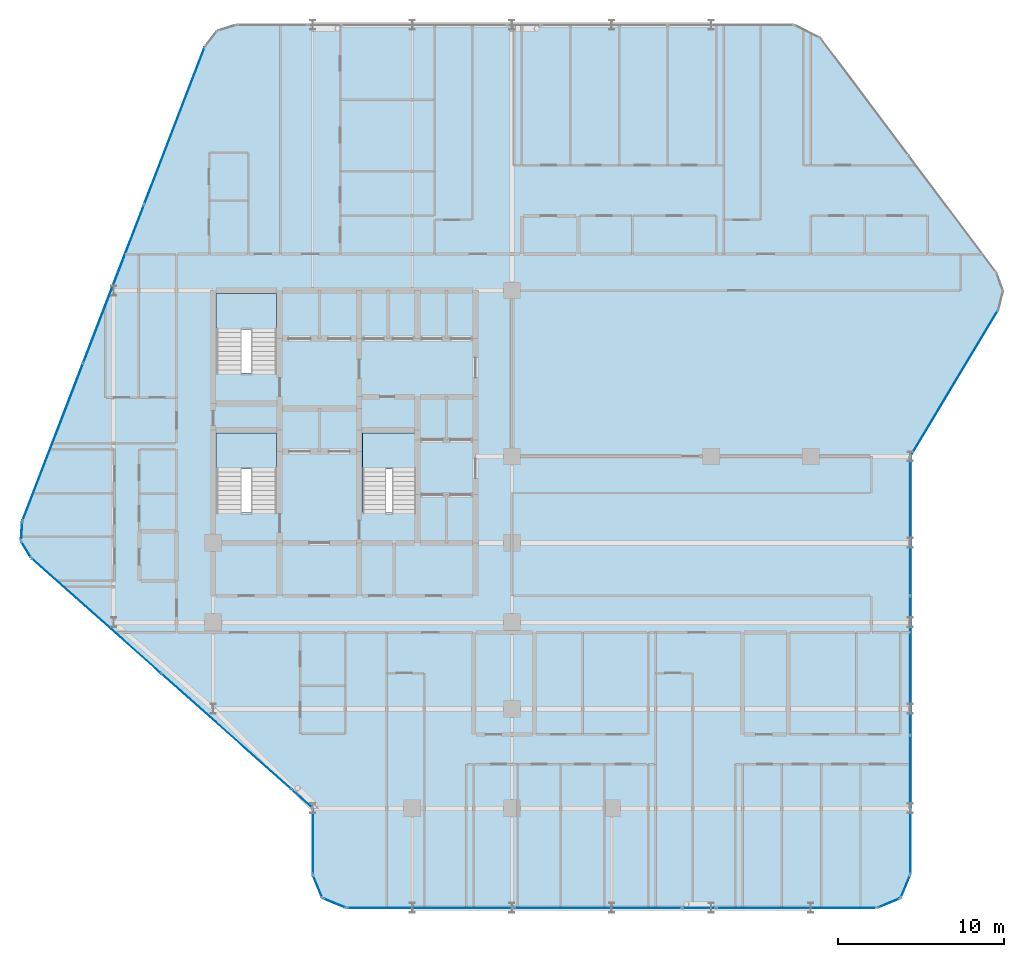
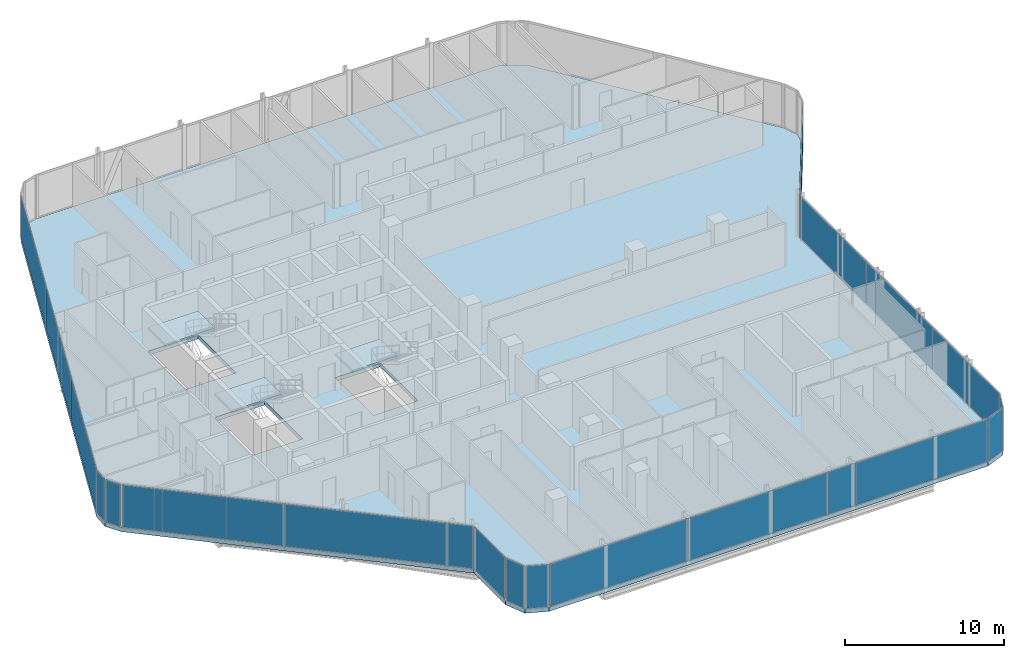
# One storey, part 21 of 30: 21 plates, 4 slabs, 18 elements without a shape of their own.
"""IFC4 building model written with IfcOpenShell, lengths in metres."""

from ifc_helpers import new_model, si_unit, direction, frame, origin, origin_2d, place, context, subcontext, project, spatial, polyline, rectangle, outline, extrude, material, layer, layer_set, type_object, element, aggregate, save


model = new_model("IFC4")

# Units and contexts
model_context = context("Model", 3, precision=1e-05, world=origin(), true_north=direction((0.0, 1.0)))
body_context = subcontext(model_context, "Body", "Model", "MODEL_VIEW")
ifc_project = project(units=[si_unit("LENGTHUNIT", "METRE"), si_unit("AREAUNIT", "SQUARE_METRE"), si_unit("VOLUMEUNIT", "CUBIC_METRE"), si_unit("PLANEANGLEUNIT", "RADIAN"), si_unit("MASSUNIT", "GRAM", prefix="KILO")], contexts=[model_context])

# Site, building, storey
site_placement = place(None, origin())
site = spatial("IfcSite", under=ifc_project, at=site_placement, CompositionType="ELEMENT")
building_placement = place(site_placement, origin())
building = spatial("IfcBuilding", under=site, at=building_placement, Name="Keshet Zoharim Tower", CompositionType="ELEMENT")
storey_placement = place(building_placement, frame((0.0, 0.0, 90.89990234375)))
storey = spatial("IfcBuildingStorey", under=building, at=storey_placement, Name="L21", CompositionType="ELEMENT", Elevation=90.89990234375)

# Curtain wall, plate
ifc_material_1 = material(Name="Aluminium 6063-T6", Category="aluminium")
ifc_layer_1 = layer(ifc_material_1, 0.159912109375)
ifc_layer_set_1 = layer_set([ifc_layer_1], Name="Aluminium 6063-T6")
curtain_wall_type = type_object("IfcCurtainWallType", Name="CW-SYS-03", PredefinedType="NOTDEFINED", material=ifc_layer_set_1)
curtain_wall_1_placement = place(storey_placement, origin())
curtain_wall_1 = element("IfcCurtainWall", 1, at=curtain_wall_1_placement, inside=storey, type_object=curtain_wall_type, Name="L21 Unitised Curtain Wall 01", PredefinedType="NOTDEFINED")
ifc_material_2 = material(Name="Insulated Low-E Clear Glass", Category="glass")
ifc_layer_2 = layer(ifc_material_2, 0.035888671875)
ifc_layer_set_2 = layer_set([ifc_layer_2], Name="Insulated Low-E Clear Glass")
plate_type_1 = type_object("IfcPlateType", Name="CWP-01", PredefinedType="CURTAIN_PANEL", material=ifc_layer_set_2)
plate_1_placement = place(storey_placement, frame((56.70703125, 1.992919921875, 0.070068359375), z_axis=(0.0, 0.0, 1.0), x_axis=(-0.382851849847, -0.92380975372, 0.0)))
plate_1 = element("IfcPlate", 2, at=plate_1_placement, type_object=plate_type_1, Name="CW-03 panel 1.1", PredefinedType="CURTAIN_PANEL", context=body_context, shape_type="SweptSolid", body=[
    extrude(rectangle(XDim=1.390625, YDim=0.035888671875, at=origin_2d()), origin(), (0.0, 0.0, 1.0), 3.2451171875),
])
aggregate(curtain_wall_1, [plate_1])

curtain_wall_2_placement = place(storey_placement, origin())
curtain_wall_2 = element("IfcCurtainWall", 3, at=curtain_wall_2_placement, inside=storey, type_object=curtain_wall_type, Name="L21 Unitised Curtain Wall 02", PredefinedType="NOTDEFINED")
plate_2_placement = place(storey_placement, frame((55.70703125, 0.992919921875, 0.070068359375), z_axis=(0.0, 0.0, 1.0), x_axis=(-0.92380975372, -0.382851849847, 0.0)))
plate_2 = element("IfcPlate", 4, at=plate_2_placement, type_object=plate_type_1, Name="CW-03 panel 1.1", PredefinedType="CURTAIN_PANEL", context=body_context, shape_type="SweptSolid", body=[
    extrude(rectangle(XDim=1.390625, YDim=0.035888671875, at=origin_2d()), origin(), (0.0, 0.0, 1.0), 3.2451171875),
])
aggregate(curtain_wall_2, [plate_2])

curtain_wall_3_placement = place(storey_placement, origin())
curtain_wall_3 = element("IfcCurtainWall", 5, at=curtain_wall_3_placement, inside=storey, type_object=curtain_wall_type, Name="L21 Unitised Curtain Wall 03", PredefinedType="NOTDEFINED")
plate_3_placement = place(storey_placement, frame((50.13134765625, 0.699951171875, 0.070068359375), z_axis=(0.0, 0.0, 1.0), x_axis=(-1.0, 0.0, 0.0)))
plate_3 = element("IfcPlate", 6, at=plate_3_placement, type_object=plate_type_1, Name="CW-03 panel 1.1", PredefinedType="CURTAIN_PANEL", context=body_context, shape_type="SweptSolid", body=[
    extrude(rectangle(XDim=9.597412109375, YDim=0.035888671875, at=origin_2d()), origin(), (0.0, 0.0, 1.0), 3.2451171875),
])
aggregate(curtain_wall_3, [plate_3])

# Curtain wall, plates
curtain_wall_4_placement = place(storey_placement, origin())
curtain_wall_4 = element("IfcCurtainWall", 7, at=curtain_wall_4_placement, inside=storey, type_object=curtain_wall_type, Name="L21 Unitised Curtain Wall 03 Part 3", PredefinedType="NOTDEFINED")
plate_4_placement = place(storey_placement, frame((38.195556640625, 0.699951171875, 0.070068359375), z_axis=(0.0, 0.0, 1.0), x_axis=(-1.0, 0.0, 0.0)))
plate_4 = element("IfcPlate", 8, at=plate_4_placement, type_object=plate_type_1, Name="CW-03 panel 1.1", PredefinedType="CURTAIN_PANEL", context=body_context, shape_type="SweptSolid", body=[
    extrude(rectangle(XDim=10.083740234375, YDim=0.035888671875, at=origin_2d()), origin(), (0.0, 0.0, 1.0), 3.2451171875),
])
plate_5_placement = place(storey_placement, frame((28.076904296875, 0.699951171875, 0.070068359375), z_axis=(0.0, 0.0, 1.0), x_axis=(-1.0, 0.0, 0.0)))
plate_5 = element("IfcPlate", 9, at=plate_5_placement, type_object=plate_type_1, Name="CW-03 panel 2.1", PredefinedType="CURTAIN_PANEL", context=body_context, shape_type="SweptSolid", body=[
    extrude(rectangle(XDim=10.013671875, YDim=0.035888671875, at=origin_2d()), origin(), (0.0, 0.0, 1.0), 3.2451171875),
])
aggregate(curtain_wall_4, [plate_4, plate_5])

# Curtain wall, plate
curtain_wall_5_placement = place(storey_placement, origin())
curtain_wall_5 = element("IfcCurtainWall", 10, at=curtain_wall_5_placement, inside=storey, type_object=curtain_wall_type, Name="L21 Unitised Curtain Wall 04", PredefinedType="NOTDEFINED")
plate_6_placement = place(storey_placement, frame((22.29296875, 0.992919921875, 0.070068359375), z_axis=(0.0, 0.0, 1.0), x_axis=(-0.92380975372, 0.382851849847, 0.0)))
plate_6 = element("IfcPlate", 11, at=plate_6_placement, type_object=plate_type_1, Name="CW-03 panel 1.1", PredefinedType="CURTAIN_PANEL", context=body_context, shape_type="SweptSolid", body=[
    extrude(rectangle(XDim=1.390625, YDim=0.035888671875, at=origin_2d()), origin(), (0.0, 0.0, 1.0), 3.2451171875),
])
aggregate(curtain_wall_5, [plate_6])

curtain_wall_6_placement = place(storey_placement, origin())
curtain_wall_6 = element("IfcCurtainWall", 12, at=curtain_wall_6_placement, inside=storey, type_object=curtain_wall_type, Name="L21 Unitised Curtain Wall 05", PredefinedType="NOTDEFINED")
plate_7_placement = place(storey_placement, frame((21.29296875, 1.992919921875, 0.070068359375), z_axis=(0.0, 0.0, 1.0), x_axis=(-0.382851849847, 0.92380975372, 0.0)))
plate_7 = element("IfcPlate", 13, at=plate_7_placement, type_object=plate_type_1, Name="CW-03 panel 1.1", PredefinedType="CURTAIN_PANEL", context=body_context, shape_type="SweptSolid", body=[
    extrude(rectangle(XDim=1.390625, YDim=0.035888671875, at=origin_2d()), origin(), (0.0, 0.0, 1.0), 3.2451171875),
])
aggregate(curtain_wall_6, [plate_7])

curtain_wall_7_placement = place(storey_placement, origin())
curtain_wall_7 = element("IfcCurtainWall", 14, at=curtain_wall_7_placement, inside=storey, type_object=curtain_wall_type, Name="L21 Unitised Curtain Wall 06", PredefinedType="NOTDEFINED")
plate_8_placement = place(storey_placement, frame((21.0, 4.699951171875, 0.070068359375), z_axis=(0.0, 0.0, 1.0), x_axis=(0.0, 1.0, 0.0)))
plate_8 = element("IfcPlate", 15, at=plate_8_placement, type_object=plate_type_1, Name="CW-03 panel 1.1", PredefinedType="CURTAIN_PANEL", context=body_context, shape_type="SweptSolid", body=[
    extrude(rectangle(XDim=3.860107421875, YDim=0.035888671875, at=origin_2d()), origin(), (0.0, 0.0, 1.0), 3.2451171875),
])
aggregate(curtain_wall_7, [plate_8])

# Curtain wall, plates
curtain_wall_8_placement = place(storey_placement, origin())
curtain_wall_8 = element("IfcCurtainWall", 16, at=curtain_wall_8_placement, inside=storey, type_object=curtain_wall_type, Name="L21 Unitised Curtain Wall 07 Part 2", PredefinedType="NOTDEFINED")
plate_9_placement = place(storey_placement, frame((15.78515625, 11.33544921875, 0.070068359375), z_axis=(0.0, 0.0, 1.0), x_axis=(-0.747409055186, 0.664364135264, 0.0)))
plate_9 = element("IfcPlate", 17, at=plate_9_placement, type_object=plate_type_1, Name="CW-03 panel 1.1", PredefinedType="CURTAIN_PANEL", context=body_context, shape_type="SweptSolid", body=[
    extrude(rectangle(XDim=10.43408203125, YDim=0.035888671875, at=origin_2d()), origin(), (0.0, 0.0, 1.0), 3.2451171875),
])
plate_10_placement = place(storey_placement, frame((7.96044921875, 18.290771484375, 0.070068359375), z_axis=(0.0, 0.0, 1.0), x_axis=(-0.747409055186, 0.664364135264, 0.0)))
plate_10 = element("IfcPlate", 18, at=plate_10_placement, type_object=plate_type_1, Name="CW-03 panel 2.1", PredefinedType="CURTAIN_PANEL", context=body_context, shape_type="SweptSolid", body=[
    extrude(rectangle(XDim=10.364013671875, YDim=0.035888671875, at=origin_2d()), origin(), (0.0, 0.0, 1.0), 3.2451171875),
])
aggregate(curtain_wall_8, [plate_9, plate_10])

# Curtain wall, plate
curtain_wall_9_placement = place(storey_placement, origin())
curtain_wall_9 = element("IfcCurtainWall", 19, at=curtain_wall_9_placement, inside=storey, type_object=curtain_wall_type, Name="L21 Unitised Curtain Wall 08", PredefinedType="NOTDEFINED")
plate_11_placement = place(storey_placement, frame((3.7275390625, 22.291015625, 0.070068359375), z_axis=(0.0, 0.0, 1.0), x_axis=(-0.515604947933, 0.856826433805, 0.0)))
plate_11 = element("IfcPlate", 20, at=plate_11_placement, type_object=plate_type_1, Name="CW-03 panel 1.1", PredefinedType="CURTAIN_PANEL", context=body_context, shape_type="SweptSolid", body=[
    extrude(rectangle(XDim=1.052734375, YDim=0.035888671875, at=origin_2d()), origin(), (0.0, 0.0, 1.0), 3.2451171875),
])
aggregate(curtain_wall_9, [plate_11])

curtain_wall_10_placement = place(storey_placement, origin())
curtain_wall_10 = element("IfcCurtainWall", 21, at=curtain_wall_10_placement, inside=storey, type_object=curtain_wall_type, Name="L21 Unitised Curtain Wall 09", PredefinedType="NOTDEFINED")
plate_12_placement = place(storey_placement, frame((3.45849609375, 23.3974609375, 0.070068359375), z_axis=(0.0, 0.0, 1.0), x_axis=(0.064516859374, 0.997916617186, 0.0)))
plate_12 = element("IfcPlate", 22, at=plate_12_placement, type_object=plate_type_1, Name="CW-03 panel 1.1", PredefinedType="CURTAIN_PANEL", context=body_context, shape_type="SweptSolid", body=[
    extrude(rectangle(XDim=1.053466796875, YDim=0.035888671875, at=origin_2d()), origin(), (0.0, 0.0, 1.0), 3.2451171875),
])
aggregate(curtain_wall_10, [plate_12])

# Curtain wall, plates
curtain_wall_11_placement = place(storey_placement, origin())
curtain_wall_11 = element("IfcCurtainWall", 23, at=curtain_wall_11_placement, inside=storey, type_object=curtain_wall_type, Name="L21 Unitised Curtain Wall 10", PredefinedType="NOTDEFINED")
plate_13_placement = place(storey_placement, frame((5.33837890625, 28.7802734375, 0.070068359375), z_axis=(0.0, 0.0, 1.0), x_axis=(0.358990003907, 0.933341404361, 0.0)))
plate_13 = element("IfcPlate", 24, at=plate_13_placement, type_object=plate_type_1, Name="CW-03 panel 1.1", PredefinedType="CURTAIN_PANEL", context=body_context, shape_type="SweptSolid", body=[
    extrude(rectangle(XDim=10.1181640625, YDim=0.035888671875, at=origin_2d()), origin(), (0.0, 0.0, 1.0), 3.2451171875),
])
plate_14_placement = place(storey_placement, frame((9.001953125, 38.305419921875, 0.070068359375), z_axis=(0.0, 0.0, 1.0), x_axis=(0.358990003907, 0.933341404361, 0.0)))
plate_14 = element("IfcPlate", 25, at=plate_14_placement, type_object=plate_type_1, Name="CW-03 panel 2.1", PredefinedType="CURTAIN_PANEL", context=body_context, shape_type="SweptSolid", body=[
    extrude(rectangle(XDim=10.153076171875, YDim=0.035888671875, at=origin_2d()), origin(), (0.0, 0.0, 1.0), 3.2451171875),
])
plate_15_placement = place(storey_placement, frame((12.665771484375, 47.830810546875, 0.070068359375), z_axis=(0.0, 0.0, 1.0), x_axis=(0.358990003907, 0.933341404361, 0.0)))
plate_15 = element("IfcPlate", 26, at=plate_15_placement, type_object=plate_type_1, Name="CW-03 panel 3.1", PredefinedType="CURTAIN_PANEL", context=body_context, shape_type="SweptSolid", body=[
    extrude(rectangle(XDim=10.1181640625, YDim=0.035888671875, at=origin_2d()), origin(), (0.0, 0.0, 1.0), 3.2451171875),
])
aggregate(curtain_wall_11, [plate_13, plate_14, plate_15])

# Curtain wall, plate
curtain_wall_12_placement = place(storey_placement, origin())
curtain_wall_12 = element("IfcCurtainWall", 27, at=curtain_wall_12_placement, inside=storey, type_object=curtain_wall_type, Name="L21 Unitised Curtain Wall 18", PredefinedType="NOTDEFINED")
plate_16_placement = place(storey_placement, frame((59.654052734375, 32.323486328125, 0.070068359375), z_axis=(0.0, 0.0, 1.0), x_axis=(-0.514481501576, -0.857501477862, 0.0)))
plate_16 = element("IfcPlate", 28, at=plate_16_placement, type_object=plate_type_1, Name="CW-03 panel 1.1", PredefinedType="CURTAIN_PANEL", context=body_context, shape_type="SweptSolid", body=[
    extrude(rectangle(XDim=10.17724609375, YDim=0.035888671875, at=origin_2d()), origin(), (0.0, 0.0, 1.0), 3.2451171875),
])
aggregate(curtain_wall_12, [plate_16])

# Curtain wall, plates
curtain_wall_13_placement = place(storey_placement, origin())
curtain_wall_13 = element("IfcCurtainWall", 29, at=curtain_wall_13_placement, inside=storey, type_object=curtain_wall_type, Name="L21 Unitised Curtain Wall 19", PredefinedType="NOTDEFINED")
ifc_layer_3 = layer(ifc_material_2, 0.031982421875)
ifc_layer_set_3 = layer_set([ifc_layer_3], Name="Insulated Low-E Clear Glass")
plate_type_2 = type_object("IfcPlateType", Name="CWP-02", PredefinedType="CURTAIN_PANEL", material=ifc_layer_set_3)
plate_17_placement = place(storey_placement, frame((57.0, 23.6826171875, 0.070068359375), z_axis=(0.0, 0.0, 1.0), x_axis=(0.0, -1.0, 0.0)))
plate_17 = element("IfcPlate", 30, at=plate_17_placement, type_object=plate_type_2, Name="CW-03 panel 1.1", PredefinedType="CURTAIN_PANEL", context=body_context, shape_type="SweptSolid", body=[
    extrude(rectangle(XDim=8.294921875, YDim=0.031982421875, at=origin_2d()), origin(), (0.0, 0.0, 1.0), 3.2451171875),
])
plate_18_placement = place(storey_placement, frame((57.0, 15.300048828125, 0.070068359375), z_axis=(0.0, 0.0, 1.0), x_axis=(0.0, -1.0, 0.0)))
plate_18 = element("IfcPlate", 31, at=plate_18_placement, type_object=plate_type_2, Name="CW-03 panel 2.1", PredefinedType="CURTAIN_PANEL", context=body_context, shape_type="SweptSolid", body=[
    extrude(rectangle(XDim=8.330078125, YDim=0.031982421875, at=origin_2d()), origin(), (0.0, 0.0, 1.0), 3.2451171875),
])
plate_19_placement = place(storey_placement, frame((57.0, 6.91748046875, 0.070068359375), z_axis=(0.0, 0.0, 1.0), x_axis=(0.0, -1.0, 0.0)))
plate_19 = element("IfcPlate", 32, at=plate_19_placement, type_object=plate_type_2, Name="CW-03 panel 3.1", PredefinedType="CURTAIN_PANEL", context=body_context, shape_type="SweptSolid", body=[
    extrude(rectangle(XDim=8.294921875, YDim=0.031982421875, at=origin_2d()), origin(), (0.0, 0.0, 1.0), 3.2451171875),
])
aggregate(curtain_wall_13, [plate_17, plate_18, plate_19])

# Curtain wall, plate
curtain_wall_14_placement = place(storey_placement, origin())
curtain_wall_14 = element("IfcCurtainWall", 33, at=curtain_wall_14_placement, inside=storey, type_object=curtain_wall_type, Name="L21 Unitised Curtain Wall 03 Part 2", PredefinedType="NOTDEFINED")
ifc_material_3 = material(Name="Insulated Aluminium Spandrel Panel", Category="aluminium")
ifc_layer_4 = layer(ifc_material_3, 0.035888671875)
ifc_layer_set_4 = layer_set([ifc_layer_4], Name="Insulated Aluminium Spandrel Panel")
plate_type_3 = type_object("IfcPlateType", Name="CWP-04", PredefinedType="CURTAIN_PANEL", material=ifc_layer_set_4)
plate_20_placement = place(storey_placement, frame((44.284912109375, 0.699951171875, 0.070068359375), z_axis=(0.0, 0.0, 1.0), x_axis=(-1.0, 0.0, 0.0)))
plate_20 = element("IfcPlate", 34, at=plate_20_placement, type_object=plate_type_3, Name="CW-03 spandrel panel 1.1", PredefinedType="CURTAIN_PANEL", context=body_context, shape_type="SweptSolid", body=[
    extrude(rectangle(XDim=1.955078125, YDim=0.035888671875, at=origin_2d()), origin(), (0.0, 0.0, 1.0), 3.2451171875),
])
aggregate(curtain_wall_14, [plate_20])

curtain_wall_15_placement = place(storey_placement, origin())
curtain_wall_15 = element("IfcCurtainWall", 35, at=curtain_wall_15_placement, inside=storey, type_object=curtain_wall_type, Name="L21 Unitised Curtain Wall 07", PredefinedType="NOTDEFINED")
plate_21_placement = place(storey_placement, frame((20.342041015625, 7.28466796875, 0.070068359375), z_axis=(0.0, 0.0, 1.0), x_axis=(-0.747412452867, 0.664360312857, 0.0)))
plate_21 = element("IfcPlate", 36, at=plate_21_placement, type_object=plate_type_3, Name="CW-03 spandrel panel 1.1", PredefinedType="CURTAIN_PANEL", context=body_context, shape_type="SweptSolid", body=[
    extrude(rectangle(XDim=1.620361328125, YDim=0.035888671875, at=origin_2d()), origin(), (0.0, 0.0, 1.0), 3.2451171875),
])
aggregate(curtain_wall_15, [plate_21])

# Stair, slab
ifc_material_4 = material(Name="Concrete C50/60", Category="concrete")
stair_type = type_object("IfcStairType", Name="STR-EXIT-135", PredefinedType="HALF_TURN_STAIR", material=ifc_material_4)
stair_1_placement = place(storey_placement, origin())
stair_1 = element("IfcStair", 37, at=stair_1_placement, inside=storey, type_object=stair_type, Name="L21 Enclosed Exit Stair ST-01", PredefinedType="HALF_TURN_STAIR")
ifc_layer_5 = layer(ifc_material_4, 0.199951171875)
ifc_layer_set_5 = layer_set([ifc_layer_5], Name="Concrete C50/60")
slab_type_1 = type_object("IfcSlabType", Name="SLB-LND-200", PredefinedType="LANDING", material=ifc_layer_set_5)
slab_1_placement = place(storey_placement, frame((0.0, 0.0, 1.650146484375)))
slab_1 = element("IfcSlab", 38, at=slab_1_placement, type_object=slab_type_1, Name="ST-01 landing 1", PredefinedType="LANDING", context=body_context, shape_type="SweptSolid", body=[
    extrude(outline(polyline([(15.179931640625, 27.159912109375), (18.820068359375, 27.159912109375), (18.820068359375, 29.320068359375), (15.179931640625, 29.320068359375), (15.179931640625, 27.159912109375)])), origin(), (0.0, 0.0, 1.0), 0.199951171875),
])
aggregate(stair_1, [slab_1])

stair_2_placement = place(storey_placement, origin())
stair_2 = element("IfcStair", 39, at=stair_2_placement, inside=storey, type_object=stair_type, Name="L21 Enclosed Exit Stair ST-02", PredefinedType="HALF_TURN_STAIR")
slab_2_placement = place(storey_placement, frame((0.0, 0.0, 1.650146484375)))
slab_2 = element("IfcSlab", 40, at=slab_2_placement, type_object=slab_type_1, Name="ST-02 landing 1", PredefinedType="LANDING", context=body_context, shape_type="SweptSolid", body=[
    extrude(outline(polyline([(15.179931640625, 35.56005859375), (18.820068359375, 35.56005859375), (18.820068359375, 37.719970703125), (15.179931640625, 37.719970703125), (15.179931640625, 35.56005859375)])), origin(), (0.0, 0.0, 1.0), 0.199951171875),
])
aggregate(stair_2, [slab_2])

stair_3_placement = place(storey_placement, origin())
stair_3 = element("IfcStair", 41, at=stair_3_placement, inside=storey, type_object=stair_type, Name="L21 Enclosed Exit Stair ST-03", PredefinedType="HALF_TURN_STAIR")
slab_3_placement = place(storey_placement, frame((0.0, 0.0, 1.650146484375)))
slab_3 = element("IfcSlab", 42, at=slab_3_placement, type_object=slab_type_1, Name="ST-03 landing 1", PredefinedType="LANDING", context=body_context, shape_type="SweptSolid", body=[
    extrude(outline(polyline([(23.97998046875, 27.159912109375), (27.219970703125, 27.159912109375), (27.219970703125, 29.320068359375), (23.97998046875, 29.320068359375), (23.97998046875, 27.159912109375)])), origin(), (0.0, 0.0, 1.0), 0.199951171875),
])
aggregate(stair_3, [slab_3])

# Slab
ifc_layer_6 = layer(ifc_material_4, 0.31494140625)
ifc_layer_set_6 = layer_set([ifc_layer_6], Name="Concrete C50/60")
slab_type_2 = type_object("IfcSlabType", Name="SLB-LOW-260", PredefinedType="FLOOR", material=ifc_layer_set_6)
slab_4_placement = place(storey_placement, frame((0.0, 0.0, -0.31494140625)))
element("IfcSlab", 43, at=slab_4_placement, inside=storey, type_object=slab_type_2, Name="L21 Structural Floor Slab 1", PredefinedType="FLOOR", context=body_context, shape_type="SweptSolid", body=[
    extrude(outline(polyline([(57.0, 2.699951171875), (56.4140625, 1.285888671875), (55.0, 0.699951171875), (23.0, 0.699951171875), (21.5859375, 1.285888671875), (21.0, 2.699951171875), (21.0, 6.699951171875), (4.034912109375, 21.780029296875), (3.419921875, 22.802001953125), (3.4970703125, 23.992919921875), (14.507080078125, 52.617919921875), (15.240966796875, 53.549072265625), (16.3740234375, 53.89990234375), (50.0, 53.89990234375), (51.60009765625, 53.10009765625), (62.193115234375, 38.97607421875), (62.590087890625, 37.87890625), (62.30810546875, 36.7470703125), (57.0, 27.89990234375), (57.0, 2.699951171875)]), holes=[polyline([(15.179931640625, 24.52001953125), (18.820068359375, 24.52001953125), (18.820068359375, 29.320068359375), (15.179931640625, 29.320068359375), (15.179931640625, 24.52001953125)]), polyline([(15.179931640625, 32.919921875), (18.820068359375, 32.919921875), (18.820068359375, 37.719970703125), (15.179931640625, 37.719970703125), (15.179931640625, 32.919921875)]), polyline([(23.97998046875, 24.52001953125), (27.219970703125, 24.52001953125), (27.219970703125, 29.320068359375), (23.97998046875, 29.320068359375), (23.97998046875, 24.52001953125)])]), origin(), (0.0, 0.0, 1.0), 0.31494140625),
])

save(model, "model.ifc")
